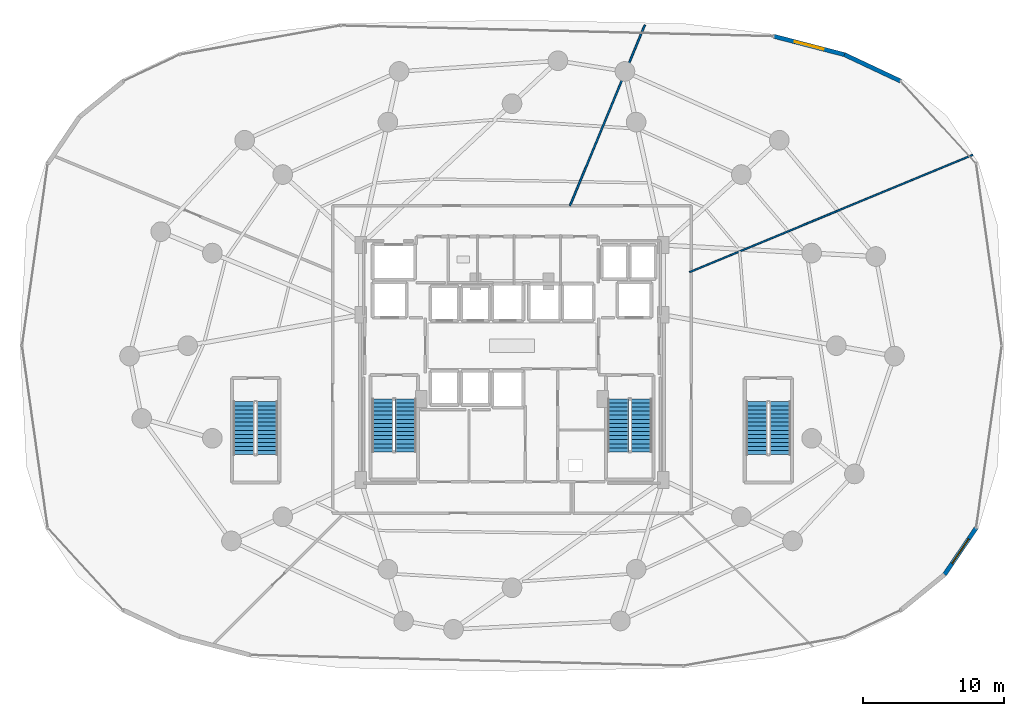
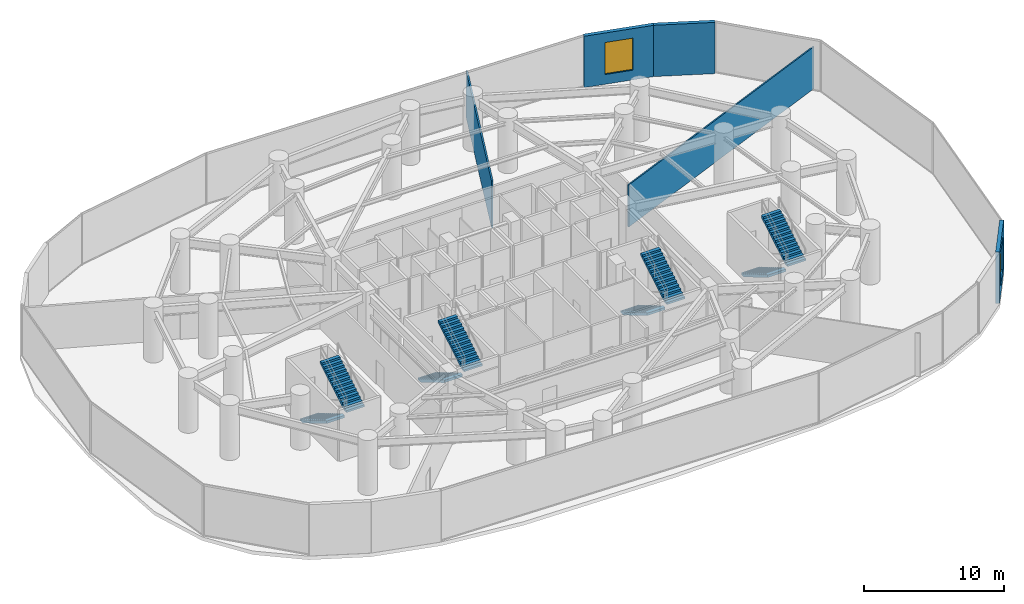
# One storey, part 24 of 26: 8 stair flights, 5 walls, 2 windows, 2 openings, 4 elements without a shape of their own.
"""IFC4 building model written with IfcOpenShell, lengths in metres."""

from ifc_helpers import new_model, si_unit, direction, frame, frame_2d, origin, place, context, subcontext, project, spatial, polyline, rectangle, outline, extrude, material, layer, layer_set, type_object, element, fill, aggregate, save


model = new_model("IFC4")

# Units and contexts
model_context = context("Model", 3, precision=1e-05, world=origin(), true_north=direction((0.0, 1.0)))
body_context = subcontext(model_context, "Body", "Model", "MODEL_VIEW")
ifc_project = project(units=[si_unit("LENGTHUNIT", "METRE"), si_unit("AREAUNIT", "SQUARE_METRE"), si_unit("VOLUMEUNIT", "CUBIC_METRE"), si_unit("PLANEANGLEUNIT", "RADIAN"), si_unit("MASSUNIT", "GRAM", prefix="KILO")], contexts=[model_context])

# Site, building, storey
site_placement = place(None, origin())
site = spatial("IfcSite", under=ifc_project, at=site_placement, CompositionType="ELEMENT")
building_placement = place(site_placement, origin())
building = spatial("IfcBuilding", under=site, at=building_placement, Name="Vorneva Point Tower", CompositionType="ELEMENT")
storey_placement = place(building_placement, frame((0.0, 0.0, 14.39990234375)))
storey = spatial("IfcBuildingStorey", under=building, at=storey_placement, Name="L03", CompositionType="ELEMENT", Elevation=14.39990234375)

# Wall
ifc_material_1 = material(Name="Precast concrete B50 (C40/50)", Category="concrete")
ifc_layer_1 = layer(ifc_material_1, 0.300048828125)
ifc_layer_set_1 = layer_set([ifc_layer_1], Name="Precast concrete B50 (C40/50)")
wall_type_1 = type_object("IfcWallType", Name="WL-EXT-300", PredefinedType="STANDARD", material=ifc_layer_set_1)
wall_1_placement = place(storey_placement, frame((65.619873046875, 44.802490234375, 0.0), z_axis=(0.0, 0.0, 1.0), x_axis=(-0.904701070817, 0.426046913452, 0.0)))
element("IfcWall", 1, at=wall_1_placement, inside=storey, type_object=wall_type_1, Name="L03 Pale-Metal Facade Spandrel Wall 03.1", PredefinedType="STANDARD", context=body_context, shape_type="SweptSolid", body=[
    extrude(rectangle(XDim=4.422607421875, YDim=0.300048828125, at=frame_2d((2.21142578125, 0.0))), origin(), (0.0, 0.0, 1.0), 4.47998046875),
])

# Wall, opening, window
wall_2_placement = place(storey_placement, frame((61.61865234375, 46.686767578125, 0.0), z_axis=(0.0, 0.0, 1.0), x_axis=(-0.967814681155, 0.251663948434, 0.0)))
wall_2 = element("IfcWall", 2, at=wall_2_placement, inside=storey, type_object=wall_type_1, Name="L03 Pale-Metal Facade Spandrel Wall 03.2", PredefinedType="STANDARD", context=body_context, shape_type="SweptSolid", body=[
    extrude(rectangle(XDim=5.166748046875, YDim=0.300048828125, at=frame_2d((2.58349609375, 0.0))), origin(), (0.0, 0.0, 1.0), 4.47998046875),
])
opening_1_placement = place(wall_2_placement, frame((1.533447265625, 0.0, 0.85009765625)))
opening_1 = element("IfcOpeningElement", 3, at=opening_1_placement, cuts=wall_2, Name="Opening W-05", PredefinedType="OPENING", context=body_context, shape_type="SweptSolid", body=[
    extrude(rectangle(XDim=2.10009765625, YDim=2.800048828125, at=frame_2d((1.050048828125, 1.39990234375))), frame((0.0, 0.1650390625, 0.0), z_axis=(0.0, -1.0, 0.0), x_axis=(1.0, 0.0, 0.0)), (0.0, 0.0, 1.0), 0.329833984375),
])
ifc_material_2 = material(Name="Double low-e laminated glass IGU", Category="glass")
window_type = type_object("IfcWindowType", Name="WN-POD-2100", PartitioningType="SINGLE_PANEL", PredefinedType="WINDOW", material=ifc_material_2)
window_1_placement = place(opening_1_placement, origin())
window_1 = element("IfcWindow", 4, at=window_1_placement, inside=storey, type_object=window_type, Name="L03 Facade Window 03", OverallHeight=2.800048828125, OverallWidth=2.10009765625, PartitioningType="SINGLE_PANEL", PredefinedType="WINDOW", context=body_context, shape_type="SweptSolid", body=[
    extrude(rectangle(XDim=2.10009765625, YDim=2.800048828125, at=frame_2d((1.050048828125, 1.39990234375))), frame((0.0, 0.030029296875, 0.0), z_axis=(0.0, -1.0, 0.0), x_axis=(1.0, 0.0, 0.0)), (0.0, 0.0, 1.0), 0.06005859375),
])
fill(opening_1, window_1)

wall_3_placement = place(storey_placement, frame((68.738525390625, 9.735595703125, 0.0), z_axis=(0.0, 0.0, 1.0), x_axis=(0.561523750755, 0.827460619811, 0.0)))
wall_3 = element("IfcWall", 5, at=wall_3_placement, inside=storey, type_object=wall_type_1, Name="L03 Pale-Metal Facade Spandrel Wall 15.2", PredefinedType="STANDARD", context=body_context, shape_type="SweptSolid", body=[
    extrude(rectangle(XDim=4.010009765625, YDim=0.300048828125, at=frame_2d((2.0048828125, 0.0))), origin(), (0.0, 0.0, 1.0), 4.47998046875),
])
opening_2_placement = place(wall_3_placement, frame((0.955078125, 0.0, 0.85009765625)))
opening_2 = element("IfcOpeningElement", 6, at=opening_2_placement, cuts=wall_3, Name="Opening W-05", PredefinedType="OPENING", context=body_context, shape_type="SweptSolid", body=[
    extrude(rectangle(XDim=2.10009765625, YDim=2.800048828125, at=frame_2d((1.050048828125, 1.39990234375))), frame((0.0, 0.1650390625, 0.0), z_axis=(0.0, -1.0, 0.0), x_axis=(1.0, 0.0, 0.0)), (0.0, 0.0, 1.0), 0.329833984375),
])
window_2_placement = place(opening_2_placement, origin())
window_2 = element("IfcWindow", 7, at=window_2_placement, inside=storey, type_object=window_type, Name="L03 Facade Window 15", OverallHeight=2.800048828125, OverallWidth=2.10009765625, PartitioningType="SINGLE_PANEL", PredefinedType="WINDOW", context=body_context, shape_type="SweptSolid", body=[
    extrude(rectangle(XDim=2.10009765625, YDim=2.800048828125, at=frame_2d((1.050048828125, 1.39990234375))), frame((0.0, 0.030029296875, 0.0), z_axis=(0.0, -1.0, 0.0), x_axis=(1.0, 0.0, 0.0)), (0.0, 0.0, 1.0), 0.06005859375),
])
fill(opening_2, window_2)

# Walls
ifc_material_3 = material(Name="Fire-rated acoustic gypsum stud partition", Category="gypsum")
ifc_layer_2 = layer(ifc_material_3, 0.110107421875)
ifc_layer_set_2 = layer_set([ifc_layer_2], Name="Fire-rated acoustic gypsum stud partition")
wall_type_2 = type_object("IfcWallType", Name="WL-PART-110", PredefinedType="PARTITIONING", material=ifc_layer_set_2)
wall_4_placement = place(storey_placement, frame((70.75439453125, 39.567626953125, 0.0), z_axis=(0.0, 0.0, 1.0), x_axis=(-0.923869091814, -0.382708637466, 0.0)))
element("IfcWall", 8, at=wall_4_placement, inside=storey, type_object=wall_type_2, Name="L03 Interior Partition 044", PredefinedType="PARTITIONING", context=body_context, shape_type="SweptSolid", body=[
    extrude(rectangle(XDim=21.79296875, YDim=0.110107421875, at=frame_2d((10.896484375, 0.0))), origin(), (0.0, 0.0, 1.0), 3.672119140625),
])
ifc_layer_3 = layer(ifc_material_3, 0.125)
ifc_layer_set_3 = layer_set([ifc_layer_3], Name="Fire-rated acoustic gypsum stud partition")
wall_type_3 = type_object("IfcWallType", Name="WL-PART-125", PredefinedType="PARTITIONING", material=ifc_layer_set_3)
wall_5_placement = place(storey_placement, frame((42.12109375, 35.949951171875, 0.0), z_axis=(0.0, 0.0, 1.0), x_axis=(0.382688117688, 0.923877591773, 0.0)))
element("IfcWall", 9, at=wall_5_placement, inside=storey, type_object=wall_type_3, Name="L03 Interior Partition 041", PredefinedType="PARTITIONING", context=body_context, shape_type="SweptSolid", body=[
    extrude(rectangle(XDim=13.912109375, YDim=0.125, at=frame_2d((6.9560546875, 0.0))), origin(), (0.0, 0.0, 1.0), 4.114013671875),
])

# Stair, stair flights
ifc_material_4 = material(Name="Concrete B50 (C40/50)", Category="concrete")
stair_type = type_object("IfcStairType", Name="ST-DOG-1500", PredefinedType="HALF_TURN_STAIR", material=ifc_material_4)
stair_1_placement = place(storey_placement, origin())
stair_1 = element("IfcStair", 10, at=stair_1_placement, inside=storey, type_object=stair_type, Name="L03 ST1", PredefinedType="HALF_TURN_STAIR")
stair_flight_type = type_object("IfcStairFlightType", Name="STF-1500", PredefinedType="STRAIGHT", material=ifc_material_4)
stair_flight_1_placement = place(storey_placement, frame((28.800048828125, 22.219970703125, 0.0), z_axis=(0.0, 0.0, 1.0), x_axis=(0.0, -1.0, 0.0)))
stair_flight_1 = element("IfcStairFlight", 11, at=stair_flight_1_placement, type_object=stair_flight_type, Name="ST1 flight 1", NumberOfRisers=14, NumberOfTreads=13, PredefinedType="STRAIGHT", RiserHeight=0.171428571, TreadLength=0.29, context=body_context, shape_type="SweptSolid", body=[
    extrude(outline(polyline([(0.0, 0.0), (0.0, 0.17138671875), (0.2900390625, 0.17138671875), (0.2900390625, 0.3427734375), (0.580078125, 0.3427734375), (0.580078125, 0.514404296875), (0.8701171875, 0.514404296875), (0.8701171875, 0.685791015625), (1.159912109375, 0.685791015625), (1.159912109375, 0.857177734375), (1.449951171875, 0.857177734375), (1.449951171875, 1.028564453125), (1.739990234375, 1.028564453125), (1.739990234375, 1.199951171875), (2.030029296875, 1.199951171875), (2.030029296875, 1.371337890625), (2.320068359375, 1.371337890625), (2.320068359375, 1.54296875), (2.610107421875, 1.54296875), (2.610107421875, 1.71435546875), (2.89990234375, 1.71435546875), (2.89990234375, 1.8857421875), (3.18994140625, 1.8857421875), (3.18994140625, 2.05712890625), (3.47998046875, 2.05712890625), (3.47998046875, 2.228515625), (3.77001953125, 2.228515625), (3.77001953125, 2.39990234375), (3.77001953125, 2.01953125), (0.353515625, 0.0), (0.0, 0.0)])), frame((0.0, 0.75, 0.0), z_axis=(0.0, -1.0, 0.0), x_axis=(1.0, 0.0, 0.0)), (0.0, 0.0, 1.0), 1.5),
])
stair_flight_2_placement = place(storey_placement, frame((30.449951171875, 18.449951171875, 2.400146484375), z_axis=(0.0, 0.0, 1.0), x_axis=(0.0, 1.0, 0.0)))
stair_flight_2 = element("IfcStairFlight", 12, at=stair_flight_2_placement, type_object=stair_flight_type, Name="ST1 flight 2", NumberOfRisers=14, NumberOfTreads=13, PredefinedType="STRAIGHT", RiserHeight=0.171428571, TreadLength=0.29, context=body_context, shape_type="SweptSolid", body=[
    extrude(outline(polyline([(0.0, 0.0), (0.0, 0.17138671875), (0.2900390625, 0.17138671875), (0.2900390625, 0.3427734375), (0.580078125, 0.3427734375), (0.580078125, 0.514404296875), (0.8701171875, 0.514404296875), (0.8701171875, 0.685791015625), (1.159912109375, 0.685791015625), (1.159912109375, 0.857177734375), (1.449951171875, 0.857177734375), (1.449951171875, 1.028564453125), (1.739990234375, 1.028564453125), (1.739990234375, 1.199951171875), (2.030029296875, 1.199951171875), (2.030029296875, 1.371337890625), (2.320068359375, 1.371337890625), (2.320068359375, 1.54296875), (2.610107421875, 1.54296875), (2.610107421875, 1.71435546875), (2.89990234375, 1.71435546875), (2.89990234375, 1.8857421875), (3.18994140625, 1.8857421875), (3.18994140625, 2.05712890625), (3.47998046875, 2.05712890625), (3.47998046875, 2.228515625), (3.77001953125, 2.228515625), (3.77001953125, 2.39990234375), (3.77001953125, 2.01953125), (0.353515625, 0.0), (0.0, 0.0)])), frame((0.0, 0.75, 0.0), z_axis=(0.0, -1.0, 0.0), x_axis=(1.0, 0.0, 0.0)), (0.0, 0.0, 1.0), 1.5),
])
aggregate(stair_1, [stair_flight_1, stair_flight_2])

stair_2_placement = place(storey_placement, origin())
stair_2 = element("IfcStair", 13, at=stair_2_placement, inside=storey, type_object=stair_type, Name="L03 ST2", PredefinedType="HALF_TURN_STAIR")
stair_flight_3_placement = place(storey_placement, frame((45.550048828125, 22.219970703125, 0.0), z_axis=(0.0, 0.0, 1.0), x_axis=(0.0, -1.0, 0.0)))
stair_flight_3 = element("IfcStairFlight", 14, at=stair_flight_3_placement, type_object=stair_flight_type, Name="ST2 flight 1", NumberOfRisers=14, NumberOfTreads=13, PredefinedType="STRAIGHT", RiserHeight=0.171428571, TreadLength=0.29, context=body_context, shape_type="SweptSolid", body=[
    extrude(outline(polyline([(0.0, 0.0), (0.0, 0.17138671875), (0.2900390625, 0.17138671875), (0.2900390625, 0.3427734375), (0.580078125, 0.3427734375), (0.580078125, 0.514404296875), (0.8701171875, 0.514404296875), (0.8701171875, 0.685791015625), (1.159912109375, 0.685791015625), (1.159912109375, 0.857177734375), (1.449951171875, 0.857177734375), (1.449951171875, 1.028564453125), (1.739990234375, 1.028564453125), (1.739990234375, 1.199951171875), (2.030029296875, 1.199951171875), (2.030029296875, 1.371337890625), (2.320068359375, 1.371337890625), (2.320068359375, 1.54296875), (2.610107421875, 1.54296875), (2.610107421875, 1.71435546875), (2.89990234375, 1.71435546875), (2.89990234375, 1.8857421875), (3.18994140625, 1.8857421875), (3.18994140625, 2.05712890625), (3.47998046875, 2.05712890625), (3.47998046875, 2.228515625), (3.77001953125, 2.228515625), (3.77001953125, 2.39990234375), (3.77001953125, 2.01953125), (0.353515625, 0.0), (0.0, 0.0)])), frame((0.0, 0.75, 0.0), z_axis=(0.0, -1.0, 0.0), x_axis=(1.0, 0.0, 0.0)), (0.0, 0.0, 1.0), 1.5),
])
stair_flight_4_placement = place(storey_placement, frame((47.199951171875, 18.449951171875, 2.400146484375), z_axis=(0.0, 0.0, 1.0), x_axis=(0.0, 1.0, 0.0)))
stair_flight_4 = element("IfcStairFlight", 15, at=stair_flight_4_placement, type_object=stair_flight_type, Name="ST2 flight 2", NumberOfRisers=14, NumberOfTreads=13, PredefinedType="STRAIGHT", RiserHeight=0.171428571, TreadLength=0.29, context=body_context, shape_type="SweptSolid", body=[
    extrude(outline(polyline([(0.0, 0.0), (0.0, 0.17138671875), (0.2900390625, 0.17138671875), (0.2900390625, 0.3427734375), (0.580078125, 0.3427734375), (0.580078125, 0.514404296875), (0.8701171875, 0.514404296875), (0.8701171875, 0.685791015625), (1.159912109375, 0.685791015625), (1.159912109375, 0.857177734375), (1.449951171875, 0.857177734375), (1.449951171875, 1.028564453125), (1.739990234375, 1.028564453125), (1.739990234375, 1.199951171875), (2.030029296875, 1.199951171875), (2.030029296875, 1.371337890625), (2.320068359375, 1.371337890625), (2.320068359375, 1.54296875), (2.610107421875, 1.54296875), (2.610107421875, 1.71435546875), (2.89990234375, 1.71435546875), (2.89990234375, 1.8857421875), (3.18994140625, 1.8857421875), (3.18994140625, 2.05712890625), (3.47998046875, 2.05712890625), (3.47998046875, 2.228515625), (3.77001953125, 2.228515625), (3.77001953125, 2.39990234375), (3.77001953125, 2.01953125), (0.353515625, 0.0), (0.0, 0.0)])), frame((0.0, 0.75, 0.0), z_axis=(0.0, -1.0, 0.0), x_axis=(1.0, 0.0, 0.0)), (0.0, 0.0, 1.0), 1.5),
])
aggregate(stair_2, [stair_flight_3, stair_flight_4])

stair_3_placement = place(storey_placement, origin())
stair_3 = element("IfcStair", 16, at=stair_3_placement, inside=storey, type_object=stair_type, Name="L03 ST3", PredefinedType="HALF_TURN_STAIR")
stair_flight_5_placement = place(storey_placement, frame((18.949951171875, 22.02001953125, 0.0), z_axis=(0.0, 0.0, 1.0), x_axis=(0.0, -1.0, 0.0)))
stair_flight_5 = element("IfcStairFlight", 17, at=stair_flight_5_placement, type_object=stair_flight_type, Name="ST3 flight 1", NumberOfRisers=14, NumberOfTreads=13, PredefinedType="STRAIGHT", RiserHeight=0.171428571, TreadLength=0.29, context=body_context, shape_type="SweptSolid", body=[
    extrude(outline(polyline([(0.0, 0.0), (0.0, 0.17138671875), (0.2900390625, 0.17138671875), (0.2900390625, 0.3427734375), (0.580078125, 0.3427734375), (0.580078125, 0.514404296875), (0.8701171875, 0.514404296875), (0.8701171875, 0.685791015625), (1.159912109375, 0.685791015625), (1.159912109375, 0.857177734375), (1.449951171875, 0.857177734375), (1.449951171875, 1.028564453125), (1.739990234375, 1.028564453125), (1.739990234375, 1.199951171875), (2.030029296875, 1.199951171875), (2.030029296875, 1.371337890625), (2.320068359375, 1.371337890625), (2.320068359375, 1.54296875), (2.610107421875, 1.54296875), (2.610107421875, 1.71435546875), (2.89990234375, 1.71435546875), (2.89990234375, 1.8857421875), (3.18994140625, 1.8857421875), (3.18994140625, 2.05712890625), (3.47998046875, 2.05712890625), (3.47998046875, 2.228515625), (3.77001953125, 2.228515625), (3.77001953125, 2.39990234375), (3.77001953125, 2.01953125), (0.353515625, 0.0), (0.0, 0.0)])), frame((0.0, 0.75, 0.0), z_axis=(0.0, -1.0, 0.0), x_axis=(1.0, 0.0, 0.0)), (0.0, 0.0, 1.0), 1.5),
])
stair_flight_6_placement = place(storey_placement, frame((20.60009765625, 18.25, 2.400146484375), z_axis=(0.0, 0.0, 1.0), x_axis=(0.0, 1.0, 0.0)))
stair_flight_6 = element("IfcStairFlight", 18, at=stair_flight_6_placement, type_object=stair_flight_type, Name="ST3 flight 2", NumberOfRisers=14, NumberOfTreads=13, PredefinedType="STRAIGHT", RiserHeight=0.171428571, TreadLength=0.29, context=body_context, shape_type="SweptSolid", body=[
    extrude(outline(polyline([(0.0, 0.0), (0.0, 0.17138671875), (0.2900390625, 0.17138671875), (0.2900390625, 0.3427734375), (0.580078125, 0.3427734375), (0.580078125, 0.514404296875), (0.8701171875, 0.514404296875), (0.8701171875, 0.685791015625), (1.159912109375, 0.685791015625), (1.159912109375, 0.857177734375), (1.449951171875, 0.857177734375), (1.449951171875, 1.028564453125), (1.739990234375, 1.028564453125), (1.739990234375, 1.199951171875), (2.030029296875, 1.199951171875), (2.030029296875, 1.371337890625), (2.320068359375, 1.371337890625), (2.320068359375, 1.54296875), (2.610107421875, 1.54296875), (2.610107421875, 1.71435546875), (2.89990234375, 1.71435546875), (2.89990234375, 1.8857421875), (3.18994140625, 1.8857421875), (3.18994140625, 2.05712890625), (3.47998046875, 2.05712890625), (3.47998046875, 2.228515625), (3.77001953125, 2.228515625), (3.77001953125, 2.39990234375), (3.77001953125, 2.01953125), (0.353515625, 0.0), (0.0, 0.0)])), frame((0.0, 0.75, 0.0), z_axis=(0.0, -1.0, 0.0), x_axis=(1.0, 0.0, 0.0)), (0.0, 0.0, 1.0), 1.5),
])
aggregate(stair_3, [stair_flight_5, stair_flight_6])

stair_4_placement = place(storey_placement, origin())
stair_4 = element("IfcStair", 19, at=stair_4_placement, inside=storey, type_object=stair_type, Name="L03 ST4", PredefinedType="HALF_TURN_STAIR")
stair_flight_7_placement = place(storey_placement, frame((55.39990234375, 22.02001953125, 0.0), z_axis=(0.0, 0.0, 1.0), x_axis=(0.0, -1.0, 0.0)))
stair_flight_7 = element("IfcStairFlight", 20, at=stair_flight_7_placement, type_object=stair_flight_type, Name="ST4 flight 1", NumberOfRisers=14, NumberOfTreads=13, PredefinedType="STRAIGHT", RiserHeight=0.171428571, TreadLength=0.29, context=body_context, shape_type="SweptSolid", body=[
    extrude(outline(polyline([(0.0, 0.0), (0.0, 0.17138671875), (0.2900390625, 0.17138671875), (0.2900390625, 0.3427734375), (0.580078125, 0.3427734375), (0.580078125, 0.514404296875), (0.8701171875, 0.514404296875), (0.8701171875, 0.685791015625), (1.159912109375, 0.685791015625), (1.159912109375, 0.857177734375), (1.449951171875, 0.857177734375), (1.449951171875, 1.028564453125), (1.739990234375, 1.028564453125), (1.739990234375, 1.199951171875), (2.030029296875, 1.199951171875), (2.030029296875, 1.371337890625), (2.320068359375, 1.371337890625), (2.320068359375, 1.54296875), (2.610107421875, 1.54296875), (2.610107421875, 1.71435546875), (2.89990234375, 1.71435546875), (2.89990234375, 1.8857421875), (3.18994140625, 1.8857421875), (3.18994140625, 2.05712890625), (3.47998046875, 2.05712890625), (3.47998046875, 2.228515625), (3.77001953125, 2.228515625), (3.77001953125, 2.39990234375), (3.77001953125, 2.01953125), (0.353515625, 0.0), (0.0, 0.0)])), frame((0.0, 0.75, 0.0), z_axis=(0.0, -1.0, 0.0), x_axis=(1.0, 0.0, 0.0)), (0.0, 0.0, 1.0), 1.5),
])
stair_flight_8_placement = place(storey_placement, frame((57.050048828125, 18.25, 2.400146484375), z_axis=(0.0, 0.0, 1.0), x_axis=(0.0, 1.0, 0.0)))
stair_flight_8 = element("IfcStairFlight", 21, at=stair_flight_8_placement, type_object=stair_flight_type, Name="ST4 flight 2", NumberOfRisers=14, NumberOfTreads=13, PredefinedType="STRAIGHT", RiserHeight=0.171428571, TreadLength=0.29, context=body_context, shape_type="SweptSolid", body=[
    extrude(outline(polyline([(0.0, 0.0), (0.0, 0.17138671875), (0.2900390625, 0.17138671875), (0.2900390625, 0.3427734375), (0.580078125, 0.3427734375), (0.580078125, 0.514404296875), (0.8701171875, 0.514404296875), (0.8701171875, 0.685791015625), (1.159912109375, 0.685791015625), (1.159912109375, 0.857177734375), (1.449951171875, 0.857177734375), (1.449951171875, 1.028564453125), (1.739990234375, 1.028564453125), (1.739990234375, 1.199951171875), (2.030029296875, 1.199951171875), (2.030029296875, 1.371337890625), (2.320068359375, 1.371337890625), (2.320068359375, 1.54296875), (2.610107421875, 1.54296875), (2.610107421875, 1.71435546875), (2.89990234375, 1.71435546875), (2.89990234375, 1.8857421875), (3.18994140625, 1.8857421875), (3.18994140625, 2.05712890625), (3.47998046875, 2.05712890625), (3.47998046875, 2.228515625), (3.77001953125, 2.228515625), (3.77001953125, 2.39990234375), (3.77001953125, 2.01953125), (0.353515625, 0.0), (0.0, 0.0)])), frame((0.0, 0.75, 0.0), z_axis=(0.0, -1.0, 0.0), x_axis=(1.0, 0.0, 0.0)), (0.0, 0.0, 1.0), 1.5),
])
aggregate(stair_4, [stair_flight_7, stair_flight_8])

save(model, "model.ifc")
